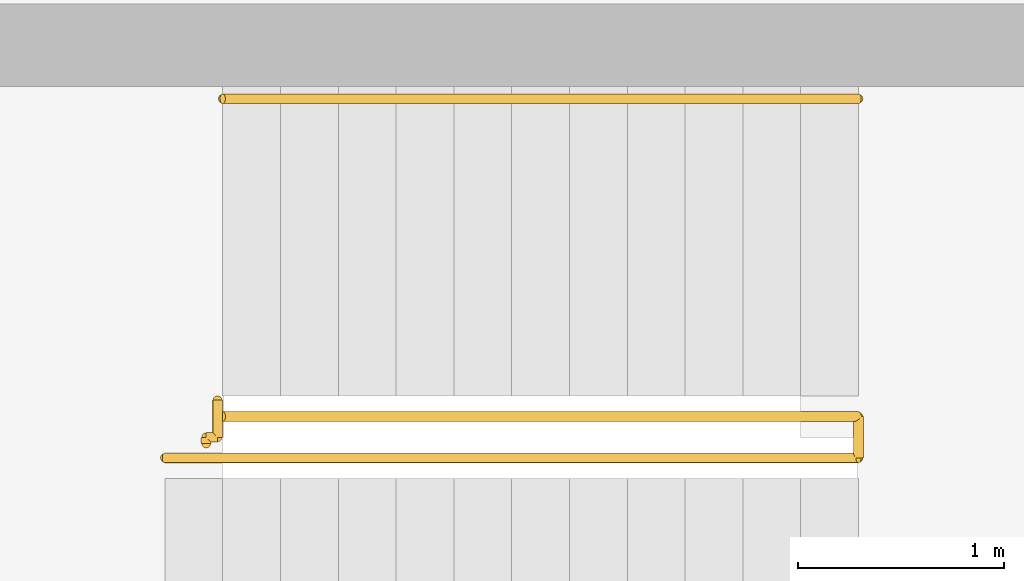
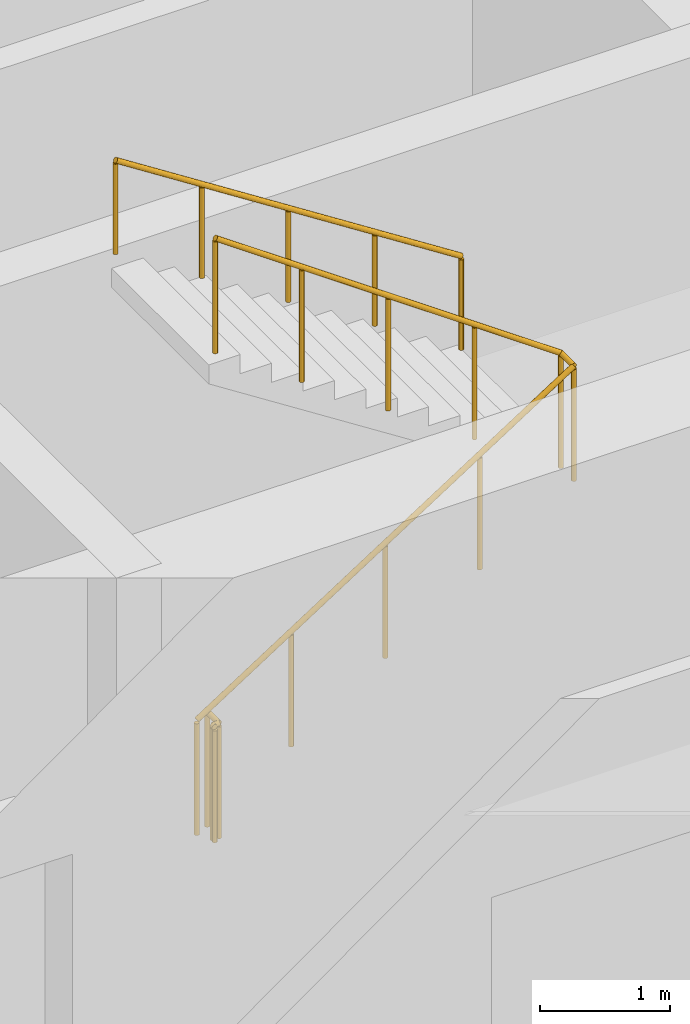
# One storey, part 14 of 17: 3 railings.
"""IFC4 building model written with IfcOpenShell, lengths in metres."""

from ifc_helpers import new_model, si_unit, direction, frame, origin, origin_2d, place, context, subcontext, project, spatial, circle, extrude, material, type_object, element, save


model = new_model("IFC4")

# Units and contexts
model_context = context("Model", 3, precision=1e-05, world=origin(), true_north=direction((0.0, 1.0)))
body_context = subcontext(model_context, "Body", "Model", "MODEL_VIEW")
ifc_project = project(units=[si_unit("LENGTHUNIT", "METRE"), si_unit("AREAUNIT", "SQUARE_METRE"), si_unit("VOLUMEUNIT", "CUBIC_METRE"), si_unit("PLANEANGLEUNIT", "RADIAN"), si_unit("MASSUNIT", "GRAM", prefix="KILO")], contexts=[model_context])

# Site, building, storey
site_placement = place(None, origin())
site = spatial("IfcSite", under=ifc_project, at=site_placement, CompositionType="ELEMENT")
building_placement = place(site_placement, origin())
building = spatial("IfcBuilding", under=site, at=building_placement, Name="Claustro Exchange Tower", CompositionType="ELEMENT")
storey_placement = place(building_placement, frame((0.0, 0.0, 18.89990234375)))
storey = spatial("IfcBuildingStorey", under=building, at=storey_placement, Name="L04", CompositionType="ELEMENT", Elevation=18.89990234375)

# Railings
ifc_material_1 = material(Name="Steel balustrade, painted", Category="steel")
railing_type_1 = type_object("IfcRailingType", Name="GR2 1100 steel stair guard", PredefinedType="GUARDRAIL", material=ifc_material_1)
railing_1_placement = place(storey_placement, frame((45.199951171875, 15.10009765625, 0.18017578125)))
element("IfcRailing", 1, at=railing_1_placement, inside=storey, type_object=railing_type_1, Name="Stair well guard GR2 stair STEA L04", PredefinedType="GUARDRAIL", context=body_context, shape_type="SweptSolid", body=[
    extrude(circle(Radius=0.02392578125, at=origin_2d()), frame((0.0, 0.0, 1.076171875), z_axis=(0.84119634759, 0.0, 0.540729789082), x_axis=(0.0, 1.0, 0.0)), (0.0, 0.0, 1.0), 3.994384765625),
    extrude(circle(Radius=0.02392578125, at=origin_2d()), frame((3.360107421875, 0.0, 3.23583984375), z_axis=(0.0, 1.0, 0.0), x_axis=(-1.0, 0.0, 0.0)), (0.0, 0.0, 1.0), 0.199951171875),
    extrude(circle(Radius=0.02392578125, at=origin_2d()), frame((3.360107421875, 0.199951171875, 3.23583984375), z_axis=(-0.8187499073, 0.0, 0.574150319426), x_axis=(0.0, -1.0, 0.0)), (0.0, 0.0, 1.0), 3.761962890625),
    extrude(circle(Radius=0.02099609375, at=origin_2d()), origin(), (0.0, 0.0, 1.0), 1.052001953125),
    extrude(circle(Radius=0.02099609375, at=origin_2d()), frame((0.840087890625, 0.0, 0.5400390625)), (0.0, 0.0, 1.0), 1.052001953125),
    extrude(circle(Radius=0.02099609375, at=origin_2d()), frame((1.68017578125, 0.0, 1.080078125)), (0.0, 0.0, 1.0), 1.052001953125),
    extrude(circle(Radius=0.02099609375, at=origin_2d()), frame((2.52001953125, 0.0, 1.619873046875)), (0.0, 0.0, 1.0), 1.052001953125),
    extrude(circle(Radius=0.02099609375, at=origin_2d()), frame((3.360107421875, 0.0, 2.159912109375)), (0.0, 0.0, 1.0), 1.052001953125),
    extrude(circle(Radius=0.02099609375, at=origin_2d()), frame((3.360107421875, 0.199951171875, 2.159912109375)), (0.0, 0.0, 1.0), 1.052001953125),
    extrude(circle(Radius=0.02099609375, at=origin_2d()), frame((2.590087890625, 0.199951171875, 2.699951171875)), (0.0, 0.0, 1.0), 1.052001953125),
    extrude(circle(Radius=0.02099609375, at=origin_2d()), frame((1.820068359375, 0.199951171875, 3.23974609375)), (0.0, 0.0, 1.0), 1.052001953125),
    extrude(circle(Radius=0.02099609375, at=origin_2d()), frame((1.050048828125, 0.199951171875, 3.77978515625)), (0.0, 0.0, 1.0), 1.052001953125),
    extrude(circle(Radius=0.02099609375, at=origin_2d()), frame((0.280029296875, 0.199951171875, 4.31982421875)), (0.0, 0.0, 1.0), 1.052001953125),
])
railing_2_placement = place(storey_placement, frame((45.39990234375, 15.169921875, 0.0)))
element("IfcRailing", 2, at=railing_2_placement, inside=storey, type_object=railing_type_1, Name="Stair guard GR2 STEA L04", PredefinedType="GUARDRAIL", context=body_context, shape_type="SweptSolid", body=[
    extrude(circle(Radius=0.02392578125, at=origin_2d()), frame((0.0, 0.0, 1.076171875), z_axis=(0.0, 1.0, 0.0), x_axis=(-1.0, 0.0, 0.0)), (0.0, 0.0, 1.0), 0.030029296875),
    extrude(circle(Radius=0.02392578125, at=origin_2d()), frame((0.0, 0.030029296875, 1.076171875), z_axis=(1.0, 0.0, 0.0), x_axis=(0.0, 1.0, 0.0)), (0.0, 0.0, 1.0), 0.05517578125),
    extrude(circle(Radius=0.02392578125, at=origin_2d()), frame((0.05517578125, 0.030029296875, 1.076171875), z_axis=(0.0, 1.0, 0.0), x_axis=(-1.0, 0.0, 0.0)), (0.0, 0.0, 1.0), 0.179931640625),
    extrude(circle(Radius=0.02099609375, at=origin_2d()), origin(), (0.0, 0.0, 1.0), 1.052001953125),
    extrude(circle(Radius=0.02099609375, at=origin_2d()), frame((0.0, 0.030029296875, 0.0)), (0.0, 0.0, 1.0), 1.052001953125),
    extrude(circle(Radius=0.02099609375, at=origin_2d()), frame((0.05517578125, 0.030029296875, 0.0)), (0.0, 0.0, 1.0), 1.052001953125),
    extrude(circle(Radius=0.02099609375, at=origin_2d()), frame((0.05517578125, 0.2099609375, 0.0)), (0.0, 0.0, 1.0), 1.052001953125),
])
ifc_material_2 = material(Name="Stainless steel tube", Category="steel")
railing_type_2 = type_object("IfcRailingType", Name="HR1 900 stair handrail", PredefinedType="HANDRAIL", material=ifc_material_2)
railing_3_placement = place(storey_placement, frame((48.56005859375, 16.840087890625, 2.52001953125)))
element("IfcRailing", 3, at=railing_3_placement, inside=storey, type_object=railing_type_2, Name="Handrail HR1 stair STEA L04", PredefinedType="HANDRAIL", context=body_context, shape_type="SweptSolid", body=[
    extrude(circle(Radius=0.02392578125, at=origin_2d()), frame((0.0, 0.0, 0.8759765625), z_axis=(-0.84118714077, 0.0, 0.540744111576), x_axis=(0.0, -1.0, 0.0)), (0.0, 0.0, 1.0), 3.66162109375),
    extrude(circle(Radius=0.02099609375, at=origin_2d()), origin(), (0.0, 0.0, 1.0), 0.851806640625),
    extrude(circle(Radius=0.02099609375, at=origin_2d()), frame((-0.77001953125, 0.0, 0.4951171875)), (0.0, 0.0, 1.0), 0.851806640625),
    extrude(circle(Radius=0.02099609375, at=origin_2d()), frame((-1.5400390625, 0.0, 0.989990234375)), (0.0, 0.0, 1.0), 0.851806640625),
    extrude(circle(Radius=0.02099609375, at=origin_2d()), frame((-2.31005859375, 0.0, 1.48486328125)), (0.0, 0.0, 1.0), 0.851806640625),
    extrude(circle(Radius=0.02099609375, at=origin_2d()), frame((-3.080078125, 0.0, 1.97998046875)), (0.0, 0.0, 1.0), 0.851806640625),
])

save(model, "model.ifc")
